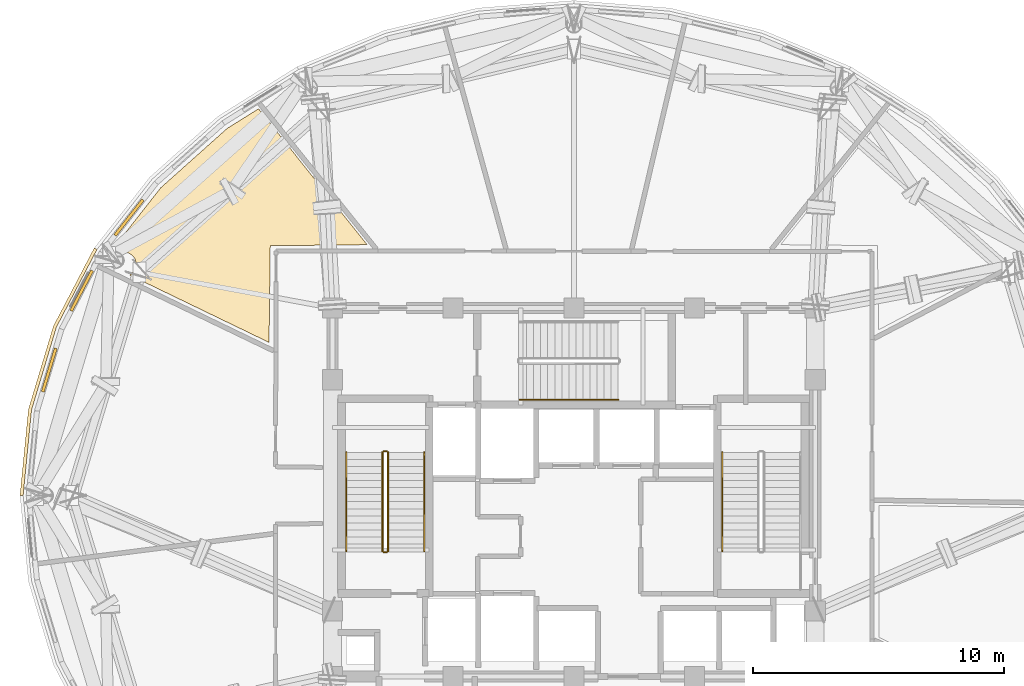
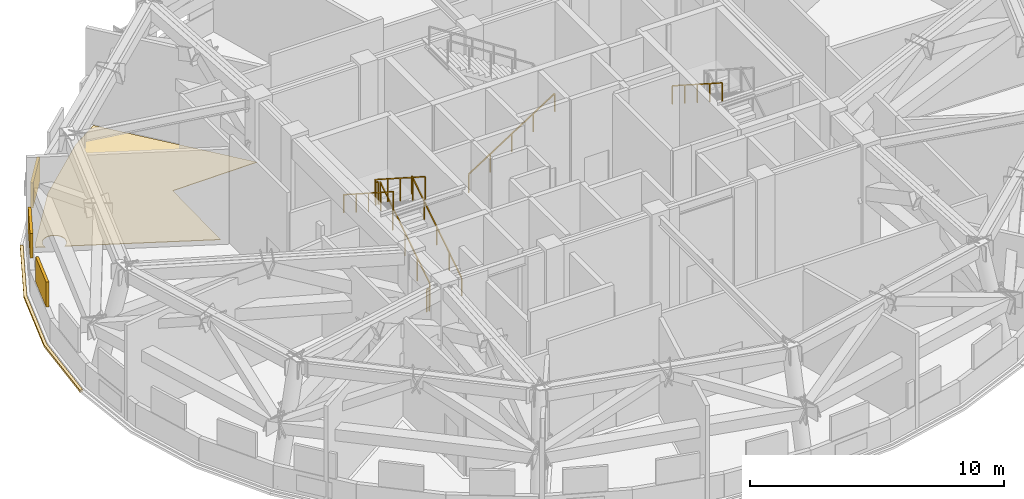
# One storey, part 11 of 13: 8 railings, 3 shading devices, 2 coverings.
"""IFC4 building model written with IfcOpenShell, lengths in metres."""

import ifcopenshell
import ifcopenshell.guid

model = None  # the IFC model being written
_history = None  # IfcOwnerHistory: only IFC2X3 demands one
_inside = {}  # id of a spatial element -> (the spatial element, [elements in it])
_under = {}  # id of a project, library or spatial element -> (it, [spatial elements below it])
_declared = {}  # id of a project -> (the project, [libraries it declares])
_typed = {}  # id of a type object -> (the type object, [elements of that type])
_made_of = {}  # id of a material, layer set ... -> (it, [elements and type objects made of it])


def new_model(schema):
    """Start an empty IFC model of exactly this schema.

    Asked for "IFC4X3", IfcOpenShell would pick the latest addendum, in which some entities
    have other attributes; the version numbers below select the first issue.
    IFC2X3 requires an IfcOwnerHistory on every rooted entity: one is made here for all.
    """
    global model, _history
    if schema == "IFC4X3":
        model = ifcopenshell.file(schema_version=(4, 3, 0, 0))
    else:
        model = ifcopenshell.file(schema=schema)
    _inside.clear()
    _under.clear()
    _declared.clear()
    _typed.clear()
    _made_of.clear()
    _history = None
    if model.schema == "IFC2X3":
        org = make("IfcOrganization", Name="unknown")
        user = make(
            "IfcPersonAndOrganization",
            ThePerson=make("IfcPerson", FamilyName="unknown"),
            TheOrganization=org,
        )
        app = make(
            "IfcApplication",
            ApplicationDeveloper=org,
            Version="unknown",
            ApplicationFullName="unknown",
            ApplicationIdentifier="unknown",
        )
        _history = make(
            "IfcOwnerHistory",
            OwningUser=user,
            OwningApplication=app,
            ChangeAction="ADDED",
            CreationDate=0,
        )
    return model


def make(cls, **values):
    """One entity of the class cls with the attributes given. An attribute that is None is left unset."""
    return model.create_entity(
        cls, **{name: value for name, value in values.items() if value is not None}
    )


def rooted(cls, **values):
    """An entity with a GlobalId (a new one), such as an element, a storey or a relation."""
    return make(cls, GlobalId=ifcopenshell.guid.new(), OwnerHistory=_history, **values)


def si_unit(unit_type, name, prefix=None):
    """IfcSIUnit, for example si_unit("LENGTHUNIT", "METRE", prefix="MILLI")."""
    return make("IfcSIUnit", UnitType=unit_type, Prefix=prefix, Name=name)


def assignment(units):
    """IfcUnitAssignment: the units of a project."""
    return None if units is None else make("IfcUnitAssignment", Units=units)


def point(xyz):
    """IfcCartesianPoint."""
    return None if xyz is None else make("IfcCartesianPoint", Coordinates=xyz)


def direction(xyz):
    """IfcDirection."""
    return None if xyz is None else make("IfcDirection", DirectionRatios=xyz)


def frame(location, z_axis=None, x_axis=None):
    """IfcAxis2Placement3D, a coordinate frame: its origin and axes. An axis left out is left unset."""
    return make(
        "IfcAxis2Placement3D",
        Location=point(location),
        Axis=direction(z_axis),
        RefDirection=direction(x_axis),
    )


def frame_2d(location, x_axis=None):
    """IfcAxis2Placement2D, a coordinate frame in the plane: its origin and x axis."""
    return make(
        "IfcAxis2Placement2D", Location=point(location), RefDirection=direction(x_axis)
    )


def origin():
    """The frame at (0, 0, 0) with its axes left unset."""
    return frame((0.0, 0.0, 0.0))


def origin_2d():
    """The frame at (0, 0) in the plane with its x axis left unset."""
    return frame_2d((0.0, 0.0))


def place(relative_to, where):
    """IfcLocalPlacement: puts the frame where relative to a parent placement (None: the world)."""
    return make(
        "IfcLocalPlacement", PlacementRelTo=relative_to, RelativePlacement=where
    )


def context(
    kind, dimensions, precision=None, world=None, true_north=None, identifier=None
):
    """IfcGeometricRepresentationContext, for example the 3D "Model" context."""
    return make(
        "IfcGeometricRepresentationContext",
        ContextIdentifier=identifier,
        ContextType=kind,
        CoordinateSpaceDimension=dimensions,
        Precision=precision,
        WorldCoordinateSystem=world,
        TrueNorth=true_north,
    )


def subcontext(parent, identifier, kind, view, scale=None):
    """IfcGeometricRepresentationSubContext, for example "Body" below "Model"."""
    return make(
        "IfcGeometricRepresentationSubContext",
        ContextIdentifier=identifier,
        ContextType=kind,
        ParentContext=parent,
        TargetScale=scale,
        TargetView=view,
    )


def project(units=None, contexts=None):
    """IfcProject with its units and contexts."""
    return rooted(
        "IfcProject",
        Name="project",
        RepresentationContexts=contexts,
        UnitsInContext=assignment(units),
    )


def spatial(cls, under=None, at=None, **own):
    """A site, building, storey or space (cls), placed at a placement, below another one or the project."""
    s = rooted(cls, ObjectPlacement=at, **own)
    if under is not None:
        _under.setdefault(under.id(), (under, []))[1].append(s)
    return s


def polyline(points):
    """IfcPolyline through the points."""
    return make("IfcPolyline", Points=[point(p) for p in points])


def profile(cls, at=None, kind="AREA", **sizes):
    """A parametric profile (cls). Its sizes go by their IFC names, for example OverallWidth=200.0."""
    return make(cls, ProfileType=kind, Position=at, **sizes)


def rectangle(**sizes):
    """IfcRectangleProfileDef."""
    return profile("IfcRectangleProfileDef", **sizes)


def outline(outer, holes=None, kind="AREA"):
    """IfcArbitraryClosedProfileDef: a profile drawn as a closed curve; with holes, ...WithVoids."""
    if holes is None:
        return make("IfcArbitraryClosedProfileDef", ProfileType=kind, OuterCurve=outer)
    return make(
        "IfcArbitraryProfileDefWithVoids",
        ProfileType=kind,
        OuterCurve=outer,
        InnerCurves=holes,
    )


def extrude(swept, where, along, depth):
    """IfcExtrudedAreaSolid: the profile swept, set in the frame where, extruded along a direction by depth."""
    return make(
        "IfcExtrudedAreaSolid",
        SweptArea=swept,
        Position=where,
        ExtrudedDirection=direction(along),
        Depth=depth,
    )


def shape(context_of_items, identifier, shape_type, items):
    """IfcShapeRepresentation: the items that make up one representation, for example the "Body"."""
    return make(
        "IfcShapeRepresentation",
        ContextOfItems=context_of_items,
        RepresentationIdentifier=identifier,
        RepresentationType=shape_type,
        Items=items,
    )


def material(Name=None, Category=None):
    """IfcMaterial."""
    return make("IfcMaterial", Name=Name, Category=Category)


def layer(
    of_material, thickness, ventilated=None, Name=None, Category=None, Priority=None
):
    """IfcMaterialLayer: one layer of a wall or slab, of a material (None: an air gap)."""
    return make(
        "IfcMaterialLayer",
        Material=of_material,
        LayerThickness=thickness,
        IsVentilated=ventilated,
        Name=Name,
        Category=Category,
        Priority=Priority,
    )


def layer_set(layers, Name=None):
    """IfcMaterialLayerSet."""
    return make("IfcMaterialLayerSet", MaterialLayers=layers, LayerSetName=Name)


def made_of(thing, what):
    """Note that an element or type object is made of a material, layer set ...; save() writes the relation."""
    if what is not None:
        _made_of.setdefault(what.id(), (what, []))[1].append(thing)
    return thing


def type_object(cls, material=None, **own):
    """A type object (cls), such as IfcWallType, which elements share."""
    return made_of(rooted(cls, **own), material)


def element(
    cls,
    number,
    at=None,
    inside=None,
    cuts=None,
    type_object=None,
    material=None,
    context=None,
    identifier="Body",
    shape_type=None,
    held_by="IfcProductDefinitionShape",
    body=None,
    shapes=None,
    **own,
):
    """One element of the class cls, such as IfcWall. Its Tag is "e" and its number.

    at: its placement. inside: the storey or other place that contains it. cuts: it is an
    opening in that element (IfcRelVoidsElement). A single representation is given by context,
    identifier, shape_type and body (its items); several are given by shapes. held_by: the class
    of the entity that holds the representations. save() writes the other relations.
    """
    e = rooted(cls, Tag="e%d" % number, ObjectPlacement=at, **own)
    if body is not None:
        shapes = [shape(context, identifier, shape_type, body)]
    if shapes is not None:
        e.Representation = make(held_by, Representations=shapes)
    if inside is not None:
        _inside.setdefault(inside.id(), (inside, []))[1].append(e)
    if cuts is not None:
        rooted(
            "IfcRelVoidsElement", RelatingBuildingElement=cuts, RelatedOpeningElement=e
        )
    if type_object is not None:
        _typed.setdefault(type_object.id(), (type_object, []))[1].append(e)
    return made_of(e, material)


def aggregate(whole, parts):
    """IfcRelAggregates: a whole, such as a stair, and the parts it consists of."""
    return rooted("IfcRelAggregates", RelatingObject=whole, RelatedObjects=parts)


def save(model, path):
    """Write the relations noted so far, then the file.

    IfcRelAggregates (storeys below a building ...), IfcRelContainedInSpatialStructure (elements
    in a storey), IfcRelDefinesByType, IfcRelAssociatesMaterial and IfcRelDeclares: one each for
    every whole, place, type object, material and project.
    """
    for whole, parts in _under.values():
        aggregate(whole, parts)
    for where, things in _inside.values():
        rooted(
            "IfcRelContainedInSpatialStructure",
            RelatedElements=things,
            RelatingStructure=where,
        )
    for kind, things in _typed.values():
        rooted("IfcRelDefinesByType", RelatedObjects=things, RelatingType=kind)
    for what, things in _made_of.values():
        rooted("IfcRelAssociatesMaterial", RelatedObjects=things, RelatingMaterial=what)
    for by, libraries in _declared.values():
        rooted("IfcRelDeclares", RelatingContext=by, RelatedDefinitions=libraries)
    model.write(path)


model = new_model("IFC4")

# Units and contexts
model_context = context("Model", 3, precision=1e-05, world=origin(), true_north=direction((0.0, 1.0)))
body_context = subcontext(model_context, "Body", "Model", "MODEL_VIEW")
ifc_project = project(units=[si_unit("LENGTHUNIT", "METRE"), si_unit("AREAUNIT", "SQUARE_METRE"), si_unit("VOLUMEUNIT", "CUBIC_METRE"), si_unit("PLANEANGLEUNIT", "RADIAN"), si_unit("MASSUNIT", "GRAM", prefix="KILO")], contexts=[model_context])

# Site, building, storey
site_placement = place(None, origin())
site = spatial("IfcSite", under=ifc_project, at=site_placement, CompositionType="ELEMENT")
building_placement = place(site_placement, origin())
building = spatial("IfcBuilding", under=site, at=building_placement, Name="Vantalir Tower", CompositionType="ELEMENT")
storey_placement = place(building_placement, frame((0.0, 0.0, 253.64990234375)))
storey = spatial("IfcBuildingStorey", under=building, at=storey_placement, Name="L64", CompositionType="ELEMENT", Elevation=253.64990234375)

# Coverings
ifc_material_1 = material(Name="Anodised champagne aluminium sill fascia", Category="aluminium")
ifc_layer_1 = layer(ifc_material_1, 0.125)
ifc_layer_set_1 = layer_set([ifc_layer_1], Name="Anodised champagne aluminium sill fascia")
covering_type_1 = type_object("IfcCoveringType", Name="COV-SLAB-FASCIA-125", PredefinedType="CLADDING", material=ifc_layer_set_1)
covering_1_placement = place(storey_placement, frame((0.0, 0.0, -0.179931640625)))
element("IfcCovering", 1, at=covering_1_placement, inside=storey, type_object=covering_type_1, Name="L64 Perimeter Slab-Edge Sill Fascia 06", PredefinedType="CLADDING", context=body_context, shape_type="SweptSolid", body=[
    extrude(outline(polyline([(12.426025390625, 34.839111328125), (10.802978515625, 31.73095703125), (9.81005859375, 28.4169921875), (9.47509765625, 25.0), (9.60009765625, 25.0), (9.93310546875, 28.39599609375), (10.9208984375, 31.68798828125), (12.533935546875, 34.777099609375), (12.426025390625, 34.839111328125)])), origin(), (0.0, 0.0, 1.0), 0.10498046875),
])
ifc_material_2 = material(Name="Tropical teak timber and terrazzo floor finish", Category="wood")
ifc_layer_2 = layer(ifc_material_2, 0.02490234375)
ifc_layer_set_2 = layer_set([ifc_layer_2], Name="Tropical teak timber and terrazzo floor finish")
covering_type_2 = type_object("IfcCoveringType", Name="COV-TIMBER-STONE-25", PredefinedType="FLOORING", material=ifc_layer_set_2)
covering_2_placement = place(storey_placement, origin())
element("IfcCovering", 2, at=covering_2_placement, inside=storey, type_object=covering_type_2, Name="L64 Fire Sprinkler Transfer Pump Plant Room Floor Finish", PredefinedType="FLOORING", context=body_context, shape_type="SweptSolid", body=[
    extrude(outline(polyline([(12.805908203125, 34.260986328125), (13.14697265625, 34.096923828125), (13.139892578125, 34.14306640625), (13.137939453125, 34.18994140625), (13.139892578125, 34.237060546875), (13.14697265625, 34.282958984375), (13.158935546875, 34.3291015625), (13.174072265625, 34.373046875), (13.194091796875, 34.4150390625), (13.218994140625, 34.4560546875), (13.2470703125, 34.492919921875), (13.278076171875, 34.528076171875), (13.31298828125, 34.55908203125), (13.35009765625, 34.5869140625), (13.39111328125, 34.612060546875), (13.43310546875, 34.632080078125), (13.47705078125, 34.64697265625), (13.52294921875, 34.658935546875), (13.569091796875, 34.666015625), (13.615966796875, 34.66796875), (13.6630859375, 34.666015625), (13.708984375, 34.658935546875), (13.7548828125, 34.64697265625), (13.799072265625, 34.632080078125), (13.841064453125, 34.612060546875), (13.882080078125, 34.5869140625), (13.9189453125, 34.55908203125), (13.9541015625, 34.528076171875), (13.985107421875, 34.492919921875), (14.012939453125, 34.4560546875), (14.0380859375, 34.4150390625), (14.05810546875, 34.373046875), (14.072998046875, 34.3291015625), (14.0849609375, 34.282958984375), (14.092041015625, 34.237060546875), (14.093994140625, 34.18994140625), (14.092041015625, 34.14306640625), (14.0849609375, 34.096923828125), (14.072998046875, 34.051025390625), (14.05810546875, 34.007080078125), (14.0380859375, 33.965087890625), (14.012939453125, 33.924072265625), (13.985107421875, 33.886962890625), (13.9541015625, 33.85205078125), (13.9189453125, 33.821044921875), (13.882080078125, 33.79296875), (13.8330078125, 33.764892578125), (19.3779296875, 31.083984375), (19.427001953125, 34.928955078125), (23.277099609375, 34.971923828125), (18.9609375, 40.3740234375), (17.7119140625, 39.593994140625), (15.074951171875, 37.239013671875), (12.93896484375, 34.51611328125), (12.805908203125, 34.260986328125)])), origin(), (0.0, 0.0, 1.0), 0.025146484375),
])

# Railings
ifc_material_3 = material(Name="Anodised aluminium and stainless steel guard", Category="steel")
railing_type_1 = type_object("IfcRailingType", Name="RAL-GUARD-1120", PredefinedType="GUARDRAIL", material=ifc_material_3)
railing_1_placement = place(storey_placement, frame((24.110107421875, 22.7900390625, 0.18017578125)))
element("IfcRailing", 3, at=railing_1_placement, inside=storey, type_object=railing_type_1, Name="L64 ST1 stair guard 1", PredefinedType="GUARDRAIL", context=body_context, shape_type="SweptSolid", body=[
    extrude(rectangle(XDim=0.048095703125, YDim=0.048095703125, at=origin_2d()), frame((0.0, 0.0, 1.09619140625), z_axis=(0.0, 0.841171666519, 0.540768182723), x_axis=(-1.0, 0.0, 0.0)), (0.0, 0.0, 1.0), 4.66015625),
    extrude(rectangle(XDim=0.0419921875, YDim=0.0419921875, at=origin_2d()), origin(), (0.0, 0.0, 1.0), 1.072021484375),
    extrude(rectangle(XDim=0.0419921875, YDim=0.0419921875, at=origin_2d()), frame((0.0, 0.97998046875, 0.6298828125)), (0.0, 0.0, 1.0), 1.072021484375),
    extrude(rectangle(XDim=0.0419921875, YDim=0.0419921875, at=origin_2d()), frame((0.0, 1.9599609375, 1.260009765625)), (0.0, 0.0, 1.0), 1.072021484375),
    extrude(rectangle(XDim=0.0419921875, YDim=0.0419921875, at=origin_2d()), frame((0.0, 2.93994140625, 1.89013671875)), (0.0, 0.0, 1.0), 1.072021484375),
    extrude(rectangle(XDim=0.0419921875, YDim=0.0419921875, at=origin_2d()), frame((0.0, 3.919921875, 2.52001953125)), (0.0, 0.0, 1.0), 1.072021484375),
])
railing_2_placement = place(storey_placement, frame((24.06005859375, 26.760009765625, 2.7001953125)))
element("IfcRailing", 4, at=railing_2_placement, inside=storey, type_object=railing_type_1, Name="L64 ST1 stair guard 2", PredefinedType="GUARDRAIL", context=body_context, shape_type="SweptSolid", body=[
    extrude(rectangle(XDim=0.048095703125, YDim=0.048095703125, at=origin_2d()), frame((0.0, 0.0, 1.09619140625), z_axis=(-1.0, 0.0, 0.0), x_axis=(0.0, -1.0, 0.0)), (0.0, 0.0, 1.0), 0.1201171875),
    extrude(rectangle(XDim=0.0419921875, YDim=0.0419921875, at=origin_2d()), origin(), (0.0, 0.0, 1.0), 1.072021484375),
    extrude(rectangle(XDim=0.0419921875, YDim=0.0419921875, at=origin_2d()), frame((-0.1201171875, 0.0, 0.0)), (0.0, 0.0, 1.0), 1.072021484375),
])
railing_3_placement = place(storey_placement, frame((23.889892578125, 26.7099609375, 2.880126953125)))
element("IfcRailing", 5, at=railing_3_placement, inside=storey, type_object=railing_type_1, Name="L64 ST1 stair guard 3", PredefinedType="GUARDRAIL", context=body_context, shape_type="SweptSolid", body=[
    extrude(rectangle(XDim=0.048095703125, YDim=0.048095703125, at=origin_2d()), frame((0.0, 0.0, 1.09619140625), z_axis=(0.0, -0.841171666519, 0.540768182723), x_axis=(1.0, 0.0, 0.0)), (0.0, 0.0, 1.0), 4.66015625),
    extrude(rectangle(XDim=0.0419921875, YDim=0.0419921875, at=origin_2d()), origin(), (0.0, 0.0, 1.0), 1.072021484375),
    extrude(rectangle(XDim=0.0419921875, YDim=0.0419921875, at=origin_2d()), frame((0.0, -0.97998046875, 0.6298828125)), (0.0, 0.0, 1.0), 1.072021484375),
    extrude(rectangle(XDim=0.0419921875, YDim=0.0419921875, at=origin_2d()), frame((0.0, -1.9599609375, 1.260009765625)), (0.0, 0.0, 1.0), 1.072021484375),
    extrude(rectangle(XDim=0.0419921875, YDim=0.0419921875, at=origin_2d()), frame((0.0, -2.93994140625, 1.89013671875)), (0.0, 0.0, 1.0), 1.072021484375),
    extrude(rectangle(XDim=0.0419921875, YDim=0.0419921875, at=origin_2d()), frame((0.0, -3.919921875, 2.52001953125)), (0.0, 0.0, 1.0), 1.072021484375),
])
railing_4_placement = place(storey_placement, frame((24.06005859375, 22.739990234375, 0.0)))
element("IfcRailing", 6, at=railing_4_placement, inside=storey, type_object=railing_type_1, Name="L64 ST1 stair guard 4", PredefinedType="GUARDRAIL", context=body_context, shape_type="SweptSolid", body=[
    extrude(rectangle(XDim=0.048095703125, YDim=0.048095703125, at=origin_2d()), frame((0.0, 0.0, 1.09619140625), z_axis=(-1.0, 0.0, 0.0), x_axis=(0.0, -1.0, 0.0)), (0.0, 0.0, 1.0), 0.1201171875),
    extrude(rectangle(XDim=0.0419921875, YDim=0.0419921875, at=origin_2d()), origin(), (0.0, 0.0, 1.0), 1.072021484375),
    extrude(rectangle(XDim=0.0419921875, YDim=0.0419921875, at=origin_2d()), frame((-0.1201171875, 0.0, 0.0)), (0.0, 0.0, 1.0), 1.072021484375),
])
ifc_material_4 = material(Name="Brushed stainless steel tubular handrail", Category="steel")
railing_type_2 = type_object("IfcRailingType", Name="RAL-HANDRAIL-900", PredefinedType="HANDRAIL", material=ifc_material_4)
railing_5_placement = place(storey_placement, frame((25.550048828125, 22.7900390625, 0.18017578125)))
element("IfcRailing", 7, at=railing_5_placement, inside=storey, type_object=railing_type_2, Name="L64 ST1 stair handrail 1", PredefinedType="HANDRAIL", context=body_context, shape_type="SweptSolid", body=[
    extrude(rectangle(XDim=0.048095703125, YDim=0.048095703125, at=origin_2d()), frame((0.0, 0.0, 0.8759765625), z_axis=(0.0, 0.841171666519, 0.540768182723), x_axis=(-1.0, 0.0, 0.0)), (0.0, 0.0, 1.0), 4.66015625),
    extrude(rectangle(XDim=0.0419921875, YDim=0.0419921875, at=origin_2d()), origin(), (0.0, 0.0, 1.0), 0.851806640625),
    extrude(rectangle(XDim=0.0419921875, YDim=0.0419921875, at=origin_2d()), frame((0.0, 0.97998046875, 0.6298828125)), (0.0, 0.0, 1.0), 0.851806640625),
    extrude(rectangle(XDim=0.0419921875, YDim=0.0419921875, at=origin_2d()), frame((0.0, 1.9599609375, 1.260009765625)), (0.0, 0.0, 1.0), 0.851806640625),
    extrude(rectangle(XDim=0.0419921875, YDim=0.0419921875, at=origin_2d()), frame((0.0, 2.93994140625, 1.89013671875)), (0.0, 0.0, 1.0), 0.851806640625),
    extrude(rectangle(XDim=0.0419921875, YDim=0.0419921875, at=origin_2d()), frame((0.0, 3.919921875, 2.52001953125)), (0.0, 0.0, 1.0), 0.851806640625),
])
for number, where, name in (
    (8, (22.449951171875, 26.7099609375, 2.880126953125), "L64 ST1 stair handrail 2"),
    (9, (37.39990234375, 26.7099609375, 2.880126953125), "L64 ST2 stair handrail 2"),
):
    element("IfcRailing", number, at=place(storey_placement, frame(where)), inside=storey, type_object=railing_type_2, Name=name, PredefinedType="HANDRAIL", context=body_context, shape_type="SweptSolid", body=[
        extrude(rectangle(XDim=0.048095703125, YDim=0.048095703125, at=origin_2d()), frame((0.0, 0.0, 0.8759765625), z_axis=(0.0, -0.841171666519, 0.540768182723), x_axis=(1.0, 0.0, 0.0)), (0.0, 0.0, 1.0), 4.66015625),
        extrude(rectangle(XDim=0.0419921875, YDim=0.0419921875, at=origin_2d()), origin(), (0.0, 0.0, 1.0), 0.851806640625),
        extrude(rectangle(XDim=0.0419921875, YDim=0.0419921875, at=origin_2d()), frame((0.0, -0.97998046875, 0.6298828125)), (0.0, 0.0, 1.0), 0.851806640625),
        extrude(rectangle(XDim=0.0419921875, YDim=0.0419921875, at=origin_2d()), frame((0.0, -1.9599609375, 1.260009765625)), (0.0, 0.0, 1.0), 0.851806640625),
        extrude(rectangle(XDim=0.0419921875, YDim=0.0419921875, at=origin_2d()), frame((0.0, -2.93994140625, 1.89013671875)), (0.0, 0.0, 1.0), 0.851806640625),
        extrude(rectangle(XDim=0.0419921875, YDim=0.0419921875, at=origin_2d()), frame((0.0, -3.919921875, 2.52001953125)), (0.0, 0.0, 1.0), 0.851806640625),
    ])
railing_6_placement = place(storey_placement, frame((29.340087890625, 28.800048828125, 0.18017578125)))
element("IfcRailing", 10, at=railing_6_placement, inside=storey, type_object=railing_type_2, Name="L64 ST3 stair handrail 1", PredefinedType="HANDRAIL", context=body_context, shape_type="SweptSolid", body=[
    extrude(rectangle(XDim=0.048095703125, YDim=0.048095703125, at=origin_2d()), frame((0.0, 0.0, 0.8759765625), z_axis=(0.841171666519, 0.0, 0.540768182723), x_axis=(0.0, 1.0, 0.0)), (0.0, 0.0, 1.0), 4.66015625),
    extrude(rectangle(XDim=0.0419921875, YDim=0.0419921875, at=origin_2d()), origin(), (0.0, 0.0, 1.0), 0.851806640625),
    extrude(rectangle(XDim=0.0419921875, YDim=0.0419921875, at=origin_2d()), frame((0.97998046875, 0.0, 0.6298828125)), (0.0, 0.0, 1.0), 0.851806640625),
    extrude(rectangle(XDim=0.0419921875, YDim=0.0419921875, at=origin_2d()), frame((1.9599609375, 0.0, 1.260009765625)), (0.0, 0.0, 1.0), 0.851806640625),
    extrude(rectangle(XDim=0.0419921875, YDim=0.0419921875, at=origin_2d()), frame((2.93994140625, 0.0, 1.89013671875)), (0.0, 0.0, 1.0), 0.851806640625),
    extrude(rectangle(XDim=0.0419921875, YDim=0.0419921875, at=origin_2d()), frame((3.919921875, 0.0, 2.52001953125)), (0.0, 0.0, 1.0), 0.851806640625),
])

# Shading devices
ifc_material_5 = material(Name="Champagne-silver PVDF aluminium storm louvre", Category="aluminium")
ifc_layer_3 = layer(ifc_material_5, 0.1201171875)
ifc_layer_set_3 = layer_set([ifc_layer_3], Name="Champagne-silver PVDF aluminium storm louvre")
shading_device_type = type_object("IfcShadingDeviceType", Name="SHD-STORM-LOUVRE", PredefinedType="JALOUSIE", material=ifc_layer_set_3)
for number, where, z_axis, x_axis, name in (
    (11, (13.80810546875, 36.048095703125, 1.1162109375), (0.0, 0.0, 1.0), (-0.617406641008, -0.78664416329, 0.0), "L64 Acoustic Storm Louvre R15"),
    (12, (11.926025390625, 33.139892578125, 1.1162109375), (0.0, 0.0, 1.0), (-0.46362081457, -0.886033712845, 0.0), "L64 Acoustic Storm Louvre R16"),
    (13, (10.637939453125, 29.985107421875, 1.1162109375), (0.0, 0.0, 1.0), (-0.287678130011, -0.957727149826, 0.0), "L64 Acoustic Storm Louvre R17"),
):
    element("IfcShadingDevice", number, at=place(storey_placement, frame(where, z_axis=z_axis, x_axis=x_axis)), inside=storey, type_object=shading_device_type, Name=name, PredefinedType="JALOUSIE", context=body_context, shape_type="SweptSolid", body=[
        extrude(rectangle(XDim=1.800048828125, YDim=0.1201171875, at=origin_2d()), origin(), (0.0, 0.0, 1.0), 1.199951171875),
    ])

save(model, "model.ifc")
